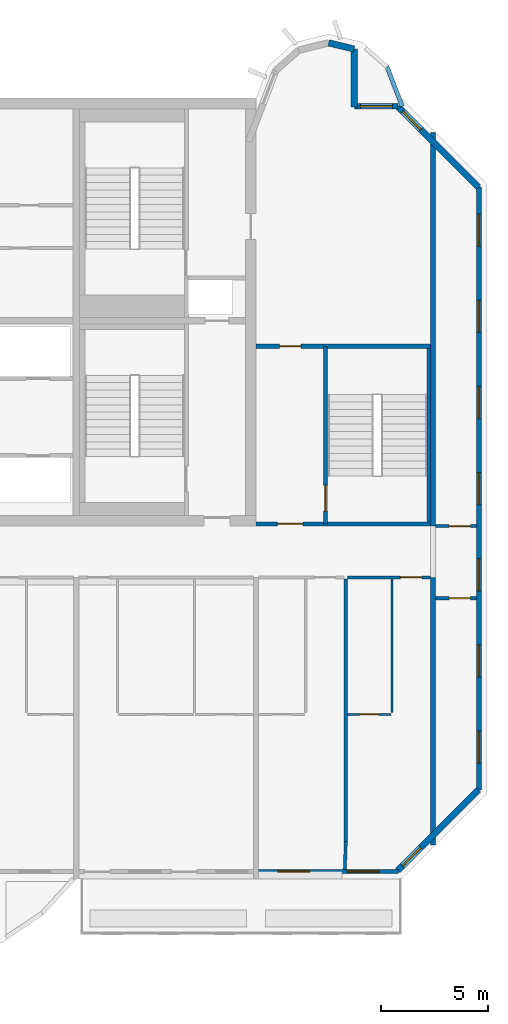
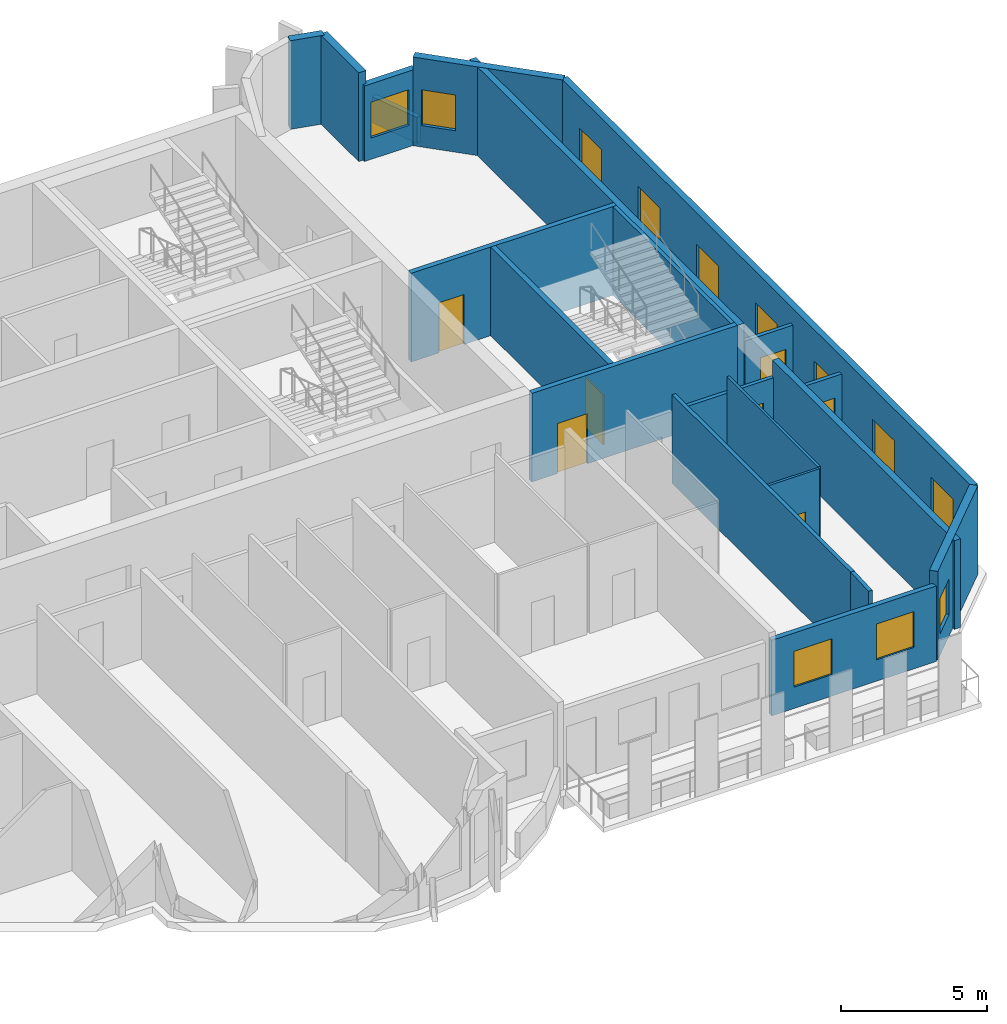
# One storey, part 8 of 12: 21 walls, 12 windows, 7 doors, 19 openings.
"""IFC4 building model written with IfcOpenShell, lengths in metres."""

from ifc_helpers import new_model, si_unit, direction, frame, frame_2d, origin, place, context, subcontext, project, spatial, rectangle, extrude, source, transform, mapped, material, layer, layer_set, type_object, element, fill, save


model = new_model("IFC4")

# Units and contexts
model_context = context("Model", 3, precision=1e-05, world=origin(), true_north=direction((0.0, 1.0)))
body_context = subcontext(model_context, "Body", "Model", "MODEL_VIEW")
ifc_project = project(units=[si_unit("LENGTHUNIT", "METRE"), si_unit("AREAUNIT", "SQUARE_METRE"), si_unit("VOLUMEUNIT", "CUBIC_METRE"), si_unit("PLANEANGLEUNIT", "RADIAN"), si_unit("MASSUNIT", "GRAM", prefix="KILO")], contexts=[model_context])

# Site, building, storey
site_placement = place(None, origin())
site = spatial("IfcSite", under=ifc_project, at=site_placement, CompositionType="ELEMENT")
building_placement = place(site_placement, origin())
building = spatial("IfcBuilding", under=site, at=building_placement, Name="Vanashikhar Sky Hotel", CompositionType="ELEMENT")
storey_placement = place(building_placement, frame((0.0, 0.0, 313.699951171875)))
storey = spatial("IfcBuildingStorey", under=building, at=storey_placement, Name="L75", CompositionType="ELEMENT", Elevation=313.699951171875)

# Walls
ifc_material_1 = material(Name="Concrete M50", Category="concrete")
ifc_layer_1 = layer(ifc_material_1, 0.25)
ifc_layer_set_1 = layer_set([ifc_layer_1], Name="RC shear wall 250 Concrete M50")
wall_type_1 = type_object("IfcWallType", Name="RC shear wall 250 Concrete M50", PredefinedType="SHEAR", material=ifc_layer_set_1)
shared_shape_1 = source(origin(), body_context, "Body", "SweptSolid", [
    extrude(rectangle(XDim=12.5, YDim=0.25, at=frame_2d((6.25, 0.0))), origin(), (0.0, 0.0, 1.0), 3.719970703125),
])
wall_1_placement = place(storey_placement, frame((83.875, 7.10009765625, 0.0), z_axis=(0.0, 0.0, 1.0), x_axis=(0.0, 1.0, 0.0)))
element("IfcWall", 1, at=wall_1_placement, inside=storey, type_object=wall_type_1, Name="CW-L75-XW11-1", PredefinedType="SHEAR", context=body_context, shape_type="MappedRepresentation", body=[
    mapped(shared_shape_1, transform((0.0, 0.0, 0.0), scale=1.0)),
])
shared_shape_2 = source(origin(), body_context, "Body", "SweptSolid", [
    extrude(rectangle(XDim=18.39990234375, YDim=0.25, at=frame_2d((9.199951171875, 0.0))), origin(), (0.0, 0.0, 1.0), 3.719970703125),
])
wall_2_placement = place(storey_placement, frame((83.875, 22.0, 0.0), z_axis=(0.0, 0.0, 1.0), x_axis=(0.0, 1.0, 0.0)))
element("IfcWall", 2, at=wall_2_placement, inside=storey, type_object=wall_type_1, Name="CW-L75-XW11-2", PredefinedType="SHEAR", context=body_context, shape_type="MappedRepresentation", body=[
    mapped(shared_shape_2, transform((0.0, 0.0, 0.0), scale=1.0)),
])

# Wall, openings, windows
ifc_layer_2 = layer(ifc_material_1, 0.199951171875)
ifc_layer_set_2 = layer_set([ifc_layer_2], Name="Front window wall 200")
wall_type_2 = type_object("IfcWallType", Name="Front window wall 200", PredefinedType="SOLIDWALL", material=ifc_layer_set_2)
shared_shape_3 = source(origin(), body_context, "Body", "SweptSolid", [
    extrude(rectangle(XDim=6.52978515625, YDim=0.199951171875, at=frame_2d((3.264892578125, 0.0))), origin(), (0.0, 0.0, 1.0), 3.170166015625),
])
wall_3_placement = place(storey_placement, frame((75.72509765625, 5.85009765625, 0.0), z_axis=(0.0, 0.0, 1.0), x_axis=(1.0, 0.0, 0.0)))
wall_3 = element("IfcWall", 3, at=wall_3_placement, inside=storey, type_object=wall_type_2, Name="Front window wall", PredefinedType="SOLIDWALL", context=body_context, shape_type="MappedRepresentation", body=[
    mapped(shared_shape_3, transform((0.0, 0.0, 0.0), scale=1.0)),
])
shared_shape_4 = source(origin(), body_context, "Body", "SweptSolid", [
    extrude(rectangle(XDim=1.5, YDim=1.5, at=frame_2d((0.75, 0.75))), frame((0.0, 0.10986328125, 0.0), z_axis=(0.0, -1.0, 0.0), x_axis=(1.0, 0.0, 0.0)), (0.0, 0.0, 1.0), 0.219970703125),
])
opening_1_placement = place(wall_3_placement, frame((0.882568359375, 0.0, 0.89990234375)))
opening_1 = element("IfcOpeningElement", 4, at=opening_1_placement, cuts=wall_3, Name="Opening WN-1", PredefinedType="OPENING", context=body_context, shape_type="MappedRepresentation", body=[
    mapped(shared_shape_4, transform((0.0, 0.0, 0.0), scale=1.0)),
])
opening_2_placement = place(wall_3_placement, frame((4.1474609375, 0.0, 0.89990234375)))
opening_2 = element("IfcOpeningElement", 5, at=opening_2_placement, cuts=wall_3, Name="Opening WN-1", PredefinedType="OPENING", context=body_context, shape_type="MappedRepresentation", body=[
    mapped(shared_shape_4, transform((0.0, 0.0, 0.0), scale=1.0)),
])
ifc_material_2 = material(Name="Glass", Category="glass")
window_type_1 = type_object("IfcWindowType", Name="Window 1500 x 1500", PartitioningType="SINGLE_PANEL", PredefinedType="WINDOW", material=ifc_material_2)
shared_shape_5 = source(origin(), body_context, "Body", "SweptSolid", [
    extrude(rectangle(XDim=1.5, YDim=1.5, at=frame_2d((0.75, 0.75))), frame((0.0, 0.030029296875, 0.0), z_axis=(0.0, -1.0, 0.0), x_axis=(1.0, 0.0, 0.0)), (0.0, 0.0, 1.0), 0.06005859375),
])
window_1_placement = place(opening_1_placement, origin())
window_1 = element("IfcWindow", 6, at=window_1_placement, inside=storey, type_object=window_type_1, Name="Window WN-1", OverallHeight=1.5, OverallWidth=1.5, PartitioningType="SINGLE_PANEL", PredefinedType="WINDOW", context=body_context, shape_type="MappedRepresentation", body=[
    mapped(shared_shape_5, transform((0.0, 0.0, 0.0), scale=1.0)),
])
fill(opening_1, window_1)
window_2_placement = place(opening_2_placement, origin())
window_2 = element("IfcWindow", 7, at=window_2_placement, inside=storey, type_object=window_type_1, Name="Window WN-1", OverallHeight=1.5, OverallWidth=1.5, PartitioningType="SINGLE_PANEL", PredefinedType="WINDOW", context=body_context, shape_type="MappedRepresentation", body=[
    mapped(shared_shape_5, transform((0.0, 0.0, 0.0), scale=1.0)),
])
fill(opening_2, window_2)

# Wall, opening, window
ifc_layer_3 = layer(ifc_material_1, 0.300048828125)
ifc_layer_set_3 = layer_set([ifc_layer_3], Name="Lobe wall 300")
wall_type_3 = type_object("IfcWallType", Name="Lobe wall 300", PredefinedType="SOLIDWALL", material=ifc_layer_set_3)
shared_shape_6 = source(origin(), body_context, "Body", "SweptSolid", [
    extrude(rectangle(XDim=5.32568359375, YDim=0.300048828125, at=frame_2d((2.662841796875, 0.0))), origin(), (0.0, 0.0, 1.0), 3.719970703125),
])
wall_4_placement = place(storey_placement, frame((82.234375, 5.89990234375, 0.0), z_axis=(0.0, 0.0, 1.0), x_axis=(0.707083859269, 0.707129702361, 0.0)))
wall_4 = element("IfcWall", 8, at=wall_4_placement, inside=storey, type_object=wall_type_3, Name="Corner wall", PredefinedType="SOLIDWALL", context=body_context, shape_type="MappedRepresentation", body=[
    mapped(shared_shape_6, transform((0.0, 0.0, 0.0), scale=1.0)),
])
shared_shape_7 = source(origin(), body_context, "Body", "SweptSolid", [
    extrude(rectangle(XDim=1.199951171875, YDim=1.5, at=frame_2d((0.60009765625, 0.75))), frame((0.0, 0.16015625, 0.0), z_axis=(0.0, -1.0, 0.0), x_axis=(1.0, 0.0, 0.0)), (0.0, 0.0, 1.0), 0.320068359375),
])
opening_3_placement = place(wall_4_placement, frame((0.31005859375, 0.0, 0.89990234375)))
opening_3 = element("IfcOpeningElement", 9, at=opening_3_placement, cuts=wall_4, Name="Opening WN-3", PredefinedType="OPENING", context=body_context, shape_type="MappedRepresentation", body=[
    mapped(shared_shape_7, transform((0.0, 0.0, 0.0), scale=1.0)),
])
window_type_2 = type_object("IfcWindowType", Name="Corridor end window 1200 x 1500", PartitioningType="SINGLE_PANEL", PredefinedType="WINDOW", material=ifc_material_2)
shared_shape_8 = source(origin(), body_context, "Body", "SweptSolid", [
    extrude(rectangle(XDim=1.199951171875, YDim=1.5, at=frame_2d((0.60009765625, 0.75))), frame((0.0, 0.030029296875, 0.0), z_axis=(0.0, -1.0, 0.0), x_axis=(1.0, 0.0, 0.0)), (0.0, 0.0, 1.0), 0.06005859375),
])
window_3_placement = place(opening_3_placement, origin())
window_3 = element("IfcWindow", 10, at=window_3_placement, inside=storey, type_object=window_type_2, Name="Window WN-3", OverallHeight=1.5, OverallWidth=1.199951171875, PartitioningType="SINGLE_PANEL", PredefinedType="WINDOW", context=body_context, shape_type="MappedRepresentation", body=[
    mapped(shared_shape_8, transform((0.0, 0.0, 0.0), scale=1.0)),
])
fill(opening_3, window_3)

wall_5_placement = place(storey_placement, frame((86.0, 37.834228515625, 0.0), z_axis=(0.0, 0.0, 1.0), x_axis=(-0.707083859269, 0.707129702361, 0.0)))
wall_5 = element("IfcWall", 11, at=wall_5_placement, inside=storey, type_object=wall_type_3, Name="Corner wall", PredefinedType="SOLIDWALL", context=body_context, shape_type="MappedRepresentation", body=[
    mapped(shared_shape_6, transform((0.0, 0.0, 0.0), scale=1.0)),
])
opening_4_placement = place(wall_5_placement, frame((3.8154296875, 0.0, 0.89990234375)))
opening_4 = element("IfcOpeningElement", 12, at=opening_4_placement, cuts=wall_5, Name="Opening WN-3", PredefinedType="OPENING", context=body_context, shape_type="MappedRepresentation", body=[
    mapped(shared_shape_7, transform((0.0, 0.0, 0.0), scale=1.0)),
])
window_4_placement = place(opening_4_placement, origin())
window_4 = element("IfcWindow", 13, at=window_4_placement, inside=storey, type_object=window_type_2, Name="Window WN-3", OverallHeight=1.5, OverallWidth=1.199951171875, PartitioningType="SINGLE_PANEL", PredefinedType="WINDOW", context=body_context, shape_type="MappedRepresentation", body=[
    mapped(shared_shape_8, transform((0.0, 0.0, 0.0), scale=1.0)),
])
fill(opening_4, window_4)

# Wall, openings, windows
ifc_layer_4 = layer(ifc_material_1, 0.25)
ifc_layer_set_4 = layer_set([ifc_layer_4], Name="Rear and end board-marked wall 250")
wall_type_4 = type_object("IfcWallType", Name="Rear and end board-marked wall 250", PredefinedType="SOLIDWALL", material=ifc_layer_set_4)
shared_shape_9 = source(origin(), body_context, "Body", "SweptSolid", [
    extrude(rectangle(XDim=28.189453125, YDim=0.25, at=frame_2d((14.0947265625, 0.0))), origin(), (0.0, 0.0, 1.0), 3.719970703125),
])
wall_6_placement = place(storey_placement, frame((86.02490234375, 9.6552734375, 0.0), z_axis=(0.0, 0.0, 1.0), x_axis=(0.0, 1.0, 0.0)))
wall_6 = element("IfcWall", 14, at=wall_6_placement, inside=storey, type_object=wall_type_4, Name="End board-marked wall", PredefinedType="SOLIDWALL", context=body_context, shape_type="MappedRepresentation", body=[
    mapped(shared_shape_9, transform((0.0, 0.0, 0.0), scale=1.0)),
])
shared_shape_10 = source(origin(), body_context, "Body", "SweptSolid", [
    extrude(rectangle(XDim=1.5, YDim=1.5, at=frame_2d((0.75, 0.75))), frame((0.0, 0.135009765625, 0.0), z_axis=(0.0, -1.0, 0.0), x_axis=(1.0, 0.0, 0.0)), (0.0, 0.0, 1.0), 0.27001953125),
])
opening_5_placement = place(wall_6_placement, frame((1.263427734375, 0.0, 0.89990234375)))
opening_5 = element("IfcOpeningElement", 15, at=opening_5_placement, cuts=wall_6, Name="Opening WN-1", PredefinedType="OPENING", context=body_context, shape_type="MappedRepresentation", body=[
    mapped(shared_shape_10, transform((0.0, 0.0, 0.0), scale=1.0)),
])
opening_6_placement = place(wall_6_placement, frame((5.29052734375, 0.0, 0.89990234375)))
opening_6 = element("IfcOpeningElement", 16, at=opening_6_placement, cuts=wall_6, Name="Opening WN-1", PredefinedType="OPENING", context=body_context, shape_type="MappedRepresentation", body=[
    mapped(shared_shape_10, transform((0.0, 0.0, 0.0), scale=1.0)),
])
opening_7_placement = place(wall_6_placement, frame((9.317626953125, 0.0, 0.89990234375)))
opening_7 = element("IfcOpeningElement", 17, at=opening_7_placement, cuts=wall_6, Name="Opening WN-1", PredefinedType="OPENING", context=body_context, shape_type="MappedRepresentation", body=[
    mapped(shared_shape_10, transform((0.0, 0.0, 0.0), scale=1.0)),
])
opening_8_placement = place(wall_6_placement, frame((13.3447265625, 0.0, 0.89990234375)))
opening_8 = element("IfcOpeningElement", 18, at=opening_8_placement, cuts=wall_6, Name="Opening WN-1", PredefinedType="OPENING", context=body_context, shape_type="MappedRepresentation", body=[
    mapped(shared_shape_10, transform((0.0, 0.0, 0.0), scale=1.0)),
])
opening_9_placement = place(wall_6_placement, frame((17.371826171875, 0.0, 0.89990234375)))
opening_9 = element("IfcOpeningElement", 19, at=opening_9_placement, cuts=wall_6, Name="Opening WN-1", PredefinedType="OPENING", context=body_context, shape_type="MappedRepresentation", body=[
    mapped(shared_shape_10, transform((0.0, 0.0, 0.0), scale=1.0)),
])
opening_10_placement = place(wall_6_placement, frame((21.398681640625, 0.0, 0.89990234375)))
opening_10 = element("IfcOpeningElement", 20, at=opening_10_placement, cuts=wall_6, Name="Opening WN-1", PredefinedType="OPENING", context=body_context, shape_type="MappedRepresentation", body=[
    mapped(shared_shape_10, transform((0.0, 0.0, 0.0), scale=1.0)),
])
opening_11_placement = place(wall_6_placement, frame((25.42578125, 0.0, 0.89990234375)))
opening_11 = element("IfcOpeningElement", 21, at=opening_11_placement, cuts=wall_6, Name="Opening WN-1", PredefinedType="OPENING", context=body_context, shape_type="MappedRepresentation", body=[
    mapped(shared_shape_10, transform((0.0, 0.0, 0.0), scale=1.0)),
])
window_5_placement = place(opening_5_placement, origin())
window_5 = element("IfcWindow", 22, at=window_5_placement, inside=storey, type_object=window_type_1, Name="Window WN-1", OverallHeight=1.5, OverallWidth=1.5, PartitioningType="SINGLE_PANEL", PredefinedType="WINDOW", context=body_context, shape_type="MappedRepresentation", body=[
    mapped(shared_shape_5, transform((0.0, 0.0, 0.0), scale=1.0)),
])
fill(opening_5, window_5)
window_6_placement = place(opening_6_placement, origin())
window_6 = element("IfcWindow", 23, at=window_6_placement, inside=storey, type_object=window_type_1, Name="Window WN-1", OverallHeight=1.5, OverallWidth=1.5, PartitioningType="SINGLE_PANEL", PredefinedType="WINDOW", context=body_context, shape_type="MappedRepresentation", body=[
    mapped(shared_shape_5, transform((0.0, 0.0, 0.0), scale=1.0)),
])
fill(opening_6, window_6)
window_7_placement = place(opening_7_placement, origin())
window_7 = element("IfcWindow", 24, at=window_7_placement, inside=storey, type_object=window_type_1, Name="Window WN-1", OverallHeight=1.5, OverallWidth=1.5, PartitioningType="SINGLE_PANEL", PredefinedType="WINDOW", context=body_context, shape_type="MappedRepresentation", body=[
    mapped(shared_shape_5, transform((0.0, 0.0, 0.0), scale=1.0)),
])
fill(opening_7, window_7)
window_8_placement = place(opening_8_placement, origin())
window_8 = element("IfcWindow", 25, at=window_8_placement, inside=storey, type_object=window_type_1, Name="Window WN-1", OverallHeight=1.5, OverallWidth=1.5, PartitioningType="SINGLE_PANEL", PredefinedType="WINDOW", context=body_context, shape_type="MappedRepresentation", body=[
    mapped(shared_shape_5, transform((0.0, 0.0, 0.0), scale=1.0)),
])
fill(opening_8, window_8)
window_9_placement = place(opening_9_placement, origin())
window_9 = element("IfcWindow", 26, at=window_9_placement, inside=storey, type_object=window_type_1, Name="Window WN-1", OverallHeight=1.5, OverallWidth=1.5, PartitioningType="SINGLE_PANEL", PredefinedType="WINDOW", context=body_context, shape_type="MappedRepresentation", body=[
    mapped(shared_shape_5, transform((0.0, 0.0, 0.0), scale=1.0)),
])
fill(opening_9, window_9)
window_10_placement = place(opening_10_placement, origin())
window_10 = element("IfcWindow", 27, at=window_10_placement, inside=storey, type_object=window_type_1, Name="Window WN-1", OverallHeight=1.5, OverallWidth=1.5, PartitioningType="SINGLE_PANEL", PredefinedType="WINDOW", context=body_context, shape_type="MappedRepresentation", body=[
    mapped(shared_shape_5, transform((0.0, 0.0, 0.0), scale=1.0)),
])
fill(opening_10, window_10)
window_11_placement = place(opening_11_placement, origin())
window_11 = element("IfcWindow", 28, at=window_11_placement, inside=storey, type_object=window_type_1, Name="Window WN-1", OverallHeight=1.5, OverallWidth=1.5, PartitioningType="SINGLE_PANEL", PredefinedType="WINDOW", context=body_context, shape_type="MappedRepresentation", body=[
    mapped(shared_shape_5, transform((0.0, 0.0, 0.0), scale=1.0)),
])
fill(opening_11, window_11)

# Wall, opening, window
shared_shape_11 = source(origin(), body_context, "Body", "SweptSolid", [
    extrude(rectangle(XDim=2.03173828125, YDim=0.25, at=frame_2d((1.015869140625, 0.0))), origin(), (0.0, 0.0, 1.0), 3.170166015625),
])
wall_7_placement = place(storey_placement, frame((82.24462890625, 41.625, 0.0), z_axis=(0.0, 0.0, 1.0), x_axis=(-1.0, 0.0, 0.0)))
wall_7 = element("IfcWall", 29, at=wall_7_placement, inside=storey, type_object=wall_type_4, Name="Rear board-marked wall", PredefinedType="SOLIDWALL", context=body_context, shape_type="MappedRepresentation", body=[
    mapped(shared_shape_11, transform((0.0, 0.0, 0.0), scale=1.0)),
])
opening_12_placement = place(wall_7_placement, frame((0.265869140625, 0.0, 0.89990234375)))
opening_12 = element("IfcOpeningElement", 30, at=opening_12_placement, cuts=wall_7, Name="Opening WN-1", PredefinedType="OPENING", context=body_context, shape_type="MappedRepresentation", body=[
    mapped(shared_shape_10, transform((0.0, 0.0, 0.0), scale=1.0)),
])
window_12_placement = place(opening_12_placement, origin())
window_12 = element("IfcWindow", 31, at=window_12_placement, inside=storey, type_object=window_type_1, Name="Window WN-1", OverallHeight=1.5, OverallWidth=1.5, PartitioningType="SINGLE_PANEL", PredefinedType="WINDOW", context=body_context, shape_type="MappedRepresentation", body=[
    mapped(shared_shape_5, transform((0.0, 0.0, 0.0), scale=1.0)),
])
fill(opening_12, window_12)

# Walls
shared_shape_12 = source(origin(), body_context, "Body", "SweptSolid", [
    extrude(rectangle(XDim=2.6962890625, YDim=0.300048828125, at=frame_2d((1.34814453125, 0.0))), origin(), (0.0, 0.0, 1.0), 3.719970703125),
])
wall_8_placement = place(storey_placement, frame((80.18798828125, 41.60009765625, 0.0), z_axis=(0.0, 0.0, 1.0), x_axis=(0.0, 1.0, 0.0)))
element("IfcWall", 32, at=wall_8_placement, inside=storey, type_object=wall_type_3, Name="Lobe end wall", PredefinedType="SOLIDWALL", context=body_context, shape_type="MappedRepresentation", body=[
    mapped(shared_shape_12, transform((0.0, 0.0, 0.0), scale=1.0)),
])
shared_shape_13 = source(origin(), body_context, "Body", "SweptSolid", [
    extrude(rectangle(XDim=1.223388671875, YDim=0.300048828125, at=frame_2d((0.61181640625, 0.0))), origin(), (0.0, 0.0, 1.0), 3.719970703125),
])
wall_9_placement = place(storey_placement, frame((80.18798828125, 44.29638671875, 0.0), z_axis=(0.0, 0.0, 1.0), x_axis=(-0.971143721305, 0.238495015816, 0.0)))
element("IfcWall", 33, at=wall_9_placement, inside=storey, type_object=wall_type_3, Name="Lobe wall", PredefinedType="SOLIDWALL", context=body_context, shape_type="MappedRepresentation", body=[
    mapped(shared_shape_13, transform((0.0, 0.0, 0.0), scale=1.0)),
])
ifc_layer_5 = layer(ifc_material_1, 0.199951171875)
ifc_layer_set_5 = layer_set([ifc_layer_5], Name="Parapet 200")
wall_type_5 = type_object("IfcWallType", Name="Parapet 200", PredefinedType="PARAPET", material=ifc_layer_set_5)
shared_shape_14 = source(origin(), body_context, "Body", "SweptSolid", [
    extrude(rectangle(XDim=1.975341796875, YDim=0.199951171875, at=frame_2d((0.98779296875, 0.0))), origin(), (0.0, 0.0, 1.0), 1.10009765625),
])
wall_10_placement = place(storey_placement, frame((81.728515625, 43.46728515625, -0.050048828125), z_axis=(0.0, 0.0, 1.0), x_axis=(0.357819264753, -0.933790861902, 0.0)))
element("IfcWall", 34, at=wall_10_placement, inside=storey, type_object=wall_type_5, Name="Roof parapet", PredefinedType="PARAPET", context=body_context, shape_type="MappedRepresentation", body=[
    mapped(shared_shape_14, transform((0.0, 0.0, 0.0), scale=1.0)),
])

# Wall, opening, door
ifc_layer_6 = layer(ifc_material_1, 0.199951171875)
ifc_layer_set_6 = layer_set([ifc_layer_6], Name="Stair wall 200")
wall_type_6 = type_object("IfcWallType", Name="Stair wall 200", PredefinedType="SOLIDWALL", material=ifc_layer_set_6)
shared_shape_15 = source(origin(), body_context, "Body", "SweptSolid", [
    extrude(rectangle(XDim=8.2998046875, YDim=0.199951171875, at=frame_2d((4.14990234375, 0.0))), origin(), (0.0, 0.0, 1.0), 3.719970703125),
])
wall_11_placement = place(storey_placement, frame((78.85009765625, 22.10009765625, 0.0), z_axis=(0.0, 0.0, 1.0), x_axis=(0.0, 1.0, 0.0)))
wall_11 = element("IfcWall", 35, at=wall_11_placement, inside=storey, type_object=wall_type_6, Name="Stair wall 200", PredefinedType="SOLIDWALL", context=body_context, shape_type="MappedRepresentation", body=[
    mapped(shared_shape_15, transform((0.0, 0.0, 0.0), scale=1.0)),
])
shared_shape_16 = source(origin(), body_context, "Body", "SweptSolid", [
    extrude(rectangle(XDim=1.199951171875, YDim=2.10009765625, at=frame_2d((0.60009765625, 1.050048828125))), frame((0.0, 0.10986328125, 0.0), z_axis=(0.0, -1.0, 0.0), x_axis=(1.0, 0.0, 0.0)), (0.0, 0.0, 1.0), 0.219970703125),
])
opening_13_placement = place(wall_11_placement, frame((0.60009765625, 0.0, 0.0)))
opening_13 = element("IfcOpeningElement", 36, at=opening_13_placement, cuts=wall_11, Name="Opening DC-1", PredefinedType="OPENING", context=body_context, shape_type="MappedRepresentation", body=[
    mapped(shared_shape_16, transform((0.0, 0.0, 0.0), scale=1.0)),
])
ifc_material_3 = material(Name="Steel", Category="steel")
door_type_1 = type_object("IfcDoorType", Name="Stair door 1200 FD120", OperationType="NOTDEFINED", PredefinedType="DOOR", material=ifc_material_3)
shared_shape_17 = source(origin(), body_context, "Body", "SweptSolid", [
    extrude(rectangle(XDim=1.199951171875, YDim=2.10009765625, at=frame_2d((0.60009765625, 1.050048828125))), frame((0.0, 0.02490234375, 0.0), z_axis=(0.0, -1.0, 0.0), x_axis=(1.0, 0.0, 0.0)), (0.0, 0.0, 1.0), 0.050048828125),
])
door_1_placement = place(opening_13_placement, origin())
door_1 = element("IfcDoor", 37, at=door_1_placement, inside=storey, type_object=door_type_1, Name="Stair door 1200 FD120", OperationType="SINGLE_SWING_LEFT", OverallHeight=2.10009765625, OverallWidth=1.199951171875, PredefinedType="DOOR", context=body_context, shape_type="MappedRepresentation", body=[
    mapped(shared_shape_17, transform((0.0, 0.0, 0.0), scale=1.0)),
])
fill(opening_13, door_1)

shared_shape_18 = source(origin(), body_context, "Body", "SweptSolid", [
    extrude(rectangle(XDim=8.14990234375, YDim=0.199951171875, at=frame_2d((4.074951171875, 0.0))), origin(), (0.0, 0.0, 1.0), 3.719970703125),
])
wall_12_placement = place(storey_placement, frame((83.75, 22.10009765625, 0.0), z_axis=(0.0, 0.0, 1.0), x_axis=(-1.0, 0.0, 0.0)))
wall_12 = element("IfcWall", 38, at=wall_12_placement, inside=storey, type_object=wall_type_6, Name="Stair wall 200", PredefinedType="SOLIDWALL", context=body_context, shape_type="MappedRepresentation", body=[
    mapped(shared_shape_18, transform((0.0, 0.0, 0.0), scale=1.0)),
])
opening_14_placement = place(wall_12_placement, frame((5.949951171875, 0.0, 0.0)))
opening_14 = element("IfcOpeningElement", 39, at=opening_14_placement, cuts=wall_12, Name="Opening DC-2", PredefinedType="OPENING", context=body_context, shape_type="MappedRepresentation", body=[
    mapped(shared_shape_16, transform((0.0, 0.0, 0.0), scale=1.0)),
])
door_type_2 = type_object("IfcDoorType", Name="Firefighting lobby door 1200 FD120", OperationType="NOTDEFINED", PredefinedType="DOOR", material=ifc_material_3)
door_2_placement = place(opening_14_placement, origin())
door_2 = element("IfcDoor", 40, at=door_2_placement, inside=storey, type_object=door_type_2, Name="Firefighting lobby door 1200 FD120", OperationType="SINGLE_SWING_RIGHT", OverallHeight=2.10009765625, OverallWidth=1.199951171875, PredefinedType="DOOR", context=body_context, shape_type="MappedRepresentation", body=[
    mapped(shared_shape_17, transform((0.0, 0.0, 0.0), scale=1.0)),
])
fill(opening_14, door_2)

wall_13_placement = place(storey_placement, frame((83.75, 30.39990234375, 0.0), z_axis=(0.0, 0.0, 1.0), x_axis=(-1.0, 0.0, 0.0)))
wall_13 = element("IfcWall", 41, at=wall_13_placement, inside=storey, type_object=wall_type_6, Name="Stair wall 200", PredefinedType="SOLIDWALL", context=body_context, shape_type="MappedRepresentation", body=[
    mapped(shared_shape_18, transform((0.0, 0.0, 0.0), scale=1.0)),
])
shared_shape_19 = source(origin(), body_context, "Body", "SweptSolid", [
    extrude(rectangle(XDim=1.0, YDim=2.10009765625, at=frame_2d((0.5, 1.050048828125))), frame((0.0, 0.10986328125, 0.0), z_axis=(0.0, -1.0, 0.0), x_axis=(1.0, 0.0, 0.0)), (0.0, 0.0, 1.0), 0.219970703125),
])
opening_15_placement = place(wall_13_placement, frame((6.050048828125, 0.0, 0.0)))
opening_15 = element("IfcOpeningElement", 42, at=opening_15_placement, cuts=wall_13, Name="Opening DC-6", PredefinedType="OPENING", context=body_context, shape_type="MappedRepresentation", body=[
    mapped(shared_shape_19, transform((0.0, 0.0, 0.0), scale=1.0)),
])
door_type_3 = type_object("IfcDoorType", Name="Pocket door 1000 FD60", OperationType="NOTDEFINED", PredefinedType="DOOR", material=ifc_material_3)
shared_shape_20 = source(origin(), body_context, "Body", "SweptSolid", [
    extrude(rectangle(XDim=1.0, YDim=2.10009765625, at=frame_2d((0.5, 1.050048828125))), frame((0.0, 0.02490234375, 0.0), z_axis=(0.0, -1.0, 0.0), x_axis=(1.0, 0.0, 0.0)), (0.0, 0.0, 1.0), 0.050048828125),
])
door_3_placement = place(opening_15_placement, origin())
door_3 = element("IfcDoor", 43, at=door_3_placement, inside=storey, type_object=door_type_3, Name="Pocket door 1000 FD60", OperationType="SINGLE_SWING_RIGHT", OverallHeight=2.10009765625, OverallWidth=1.0, PredefinedType="DOOR", context=body_context, shape_type="MappedRepresentation", body=[
    mapped(shared_shape_20, transform((0.0, 0.0, 0.0), scale=1.0)),
])
fill(opening_15, door_3)

# Walls
ifc_layer_7 = layer(ifc_material_1, 0.14990234375)
ifc_layer_set_7 = layer_set([ifc_layer_7], Name="Stair infill wall 150")
wall_type_7 = type_object("IfcWallType", Name="Stair infill wall 150", PredefinedType="SOLIDWALL", material=ifc_layer_set_7)
shared_shape_21 = source(origin(), body_context, "Body", "SweptSolid", [
    extrude(rectangle(XDim=8.10009765625, YDim=0.14990234375, at=frame_2d((4.050048828125, 0.0))), origin(), (0.0, 0.0, 1.0), 3.719970703125),
])
wall_14_placement = place(storey_placement, frame((83.675048828125, 22.199951171875, 0.0), z_axis=(0.0, 0.0, 1.0), x_axis=(0.0, 1.0, 0.0)))
element("IfcWall", 44, at=wall_14_placement, inside=storey, type_object=wall_type_7, Name="Stair infill wall 150", PredefinedType="SOLIDWALL", context=body_context, shape_type="MappedRepresentation", body=[
    mapped(shared_shape_21, transform((0.0, 0.0, 0.0), scale=1.0)),
])
ifc_material_4 = material(Name="Gypsum plasterboard partition")
ifc_layer_8 = layer(ifc_material_4, 0.10009765625)
ifc_layer_set_8 = layer_set([ifc_layer_8], Name="Wet room partition 100")
wall_type_8 = type_object("IfcWallType", Name="Wet room partition 100", PredefinedType="PARTITIONING", material=ifc_layer_set_8)
shared_shape_22 = source(origin(), body_context, "Body", "SweptSolid", [
    extrude(rectangle(XDim=6.25, YDim=0.10009765625, at=frame_2d((3.125, 0.0))), origin(), (0.0, 0.0, 1.0), 3.719970703125),
])
wall_15_placement = place(storey_placement, frame((81.949951171875, 13.27490234375, 0.0), z_axis=(0.0, 0.0, 1.0), x_axis=(0.0, 1.0, 0.0)))
element("IfcWall", 45, at=wall_15_placement, inside=storey, type_object=wall_type_8, Name="W-L75-PW034", PredefinedType="PARTITIONING", context=body_context, shape_type="MappedRepresentation", body=[
    mapped(shared_shape_22, transform((0.0, 0.0, 0.0), scale=1.0)),
])

# Wall, opening, door
ifc_layer_9 = layer(ifc_material_4, 0.14990234375)
ifc_layer_set_9 = layer_set([ifc_layer_9], Name="Corridor and demising partition 150")
wall_type_9 = type_object("IfcWallType", Name="Corridor and demising partition 150", PredefinedType="PARTITIONING", material=ifc_layer_set_9)
shared_shape_23 = source(origin(), body_context, "Body", "SweptSolid", [
    extrude(rectangle(XDim=1.89990234375, YDim=0.14990234375, at=frame_2d((0.949951171875, 0.0))), origin(), (0.0, 0.0, 1.0), 3.02001953125),
])
wall_16_placement = place(storey_placement, frame((84.0, 22.0, 0.0), z_axis=(0.0, 0.0, 1.0), x_axis=(1.0, 0.0, 0.0)))
wall_16 = element("IfcWall", 46, at=wall_16_placement, inside=storey, type_object=wall_type_9, Name="W-L75-PW041", PredefinedType="PARTITIONING", context=body_context, shape_type="MappedRepresentation", body=[
    mapped(shared_shape_23, transform((0.0, 0.0, 0.0), scale=1.0)),
])
shared_shape_24 = source(origin(), body_context, "Body", "SweptSolid", [
    extrude(rectangle(XDim=1.0, YDim=2.10009765625, at=frame_2d((0.5, 1.050048828125))), frame((0.0, 0.0849609375, 0.0), z_axis=(0.0, -1.0, 0.0), x_axis=(1.0, 0.0, 0.0)), (0.0, 0.0, 1.0), 0.169921875),
])
opening_16_placement = place(wall_16_placement, frame((0.625, 0.0, 0.0)))
opening_16 = element("IfcOpeningElement", 47, at=opening_16_placement, cuts=wall_16, Name="Opening D-01", PredefinedType="OPENING", context=body_context, shape_type="MappedRepresentation", body=[
    mapped(shared_shape_24, transform((0.0, 0.0, 0.0), scale=1.0)),
])
ifc_material_5 = material(Name="Timber fire door", Category="wood")
door_type_4 = type_object("IfcDoorType", Name="Guest entry door 1000 FD30S", OperationType="NOTDEFINED", PredefinedType="DOOR", material=ifc_material_5)
door_4_placement = place(opening_16_placement, origin())
door_4 = element("IfcDoor", 48, at=door_4_placement, inside=storey, type_object=door_type_4, Name="D-L75-025", OperationType="SINGLE_SWING_RIGHT", OverallHeight=2.10009765625, OverallWidth=1.0, PredefinedType="DOOR", context=body_context, shape_type="MappedRepresentation", body=[
    mapped(shared_shape_20, transform((0.0, 0.0, 0.0), scale=1.0)),
])
fill(opening_16, door_4)

wall_17_placement = place(storey_placement, frame((84.0, 18.6279296875, 0.0), z_axis=(0.0, 0.0, 1.0), x_axis=(1.0, 0.0, 0.0)))
wall_17 = element("IfcWall", 49, at=wall_17_placement, inside=storey, type_object=wall_type_9, Name="W-L75-PW043", PredefinedType="PARTITIONING", context=body_context, shape_type="MappedRepresentation", body=[
    mapped(shared_shape_23, transform((0.0, 0.0, 0.0), scale=1.0)),
])
opening_17_placement = place(wall_17_placement, frame((0.625, 0.0, 0.0)))
opening_17 = element("IfcOpeningElement", 50, at=opening_17_placement, cuts=wall_17, Name="Opening D-01", PredefinedType="OPENING", context=body_context, shape_type="MappedRepresentation", body=[
    mapped(shared_shape_24, transform((0.0, 0.0, 0.0), scale=1.0)),
])
door_5_placement = place(opening_17_placement, origin())
door_5 = element("IfcDoor", 51, at=door_5_placement, inside=storey, type_object=door_type_4, Name="D-L75-027", OperationType="SINGLE_SWING_RIGHT", OverallHeight=2.10009765625, OverallWidth=1.0, PredefinedType="DOOR", context=body_context, shape_type="MappedRepresentation", body=[
    mapped(shared_shape_20, transform((0.0, 0.0, 0.0), scale=1.0)),
])
fill(opening_17, door_5)

# Wall
shared_shape_25 = source(origin(), body_context, "Body", "SweptSolid", [
    extrude(rectangle(XDim=12.27490234375, YDim=0.14990234375, at=frame_2d((6.137451171875, 0.0))), origin(), (0.0, 0.0, 1.0), 3.719970703125),
])
wall_18_placement = place(storey_placement, frame((79.800048828125, 7.25, 0.0), z_axis=(0.0, 0.0, 1.0), x_axis=(0.0, 1.0, 0.0)))
element("IfcWall", 52, at=wall_18_placement, inside=storey, type_object=wall_type_9, Name="W-L75-PW037", PredefinedType="PARTITIONING", context=body_context, shape_type="MappedRepresentation", body=[
    mapped(shared_shape_25, transform((0.0, 0.0, 0.0), scale=1.0)),
])

# Wall, opening, door
shared_shape_26 = source(origin(), body_context, "Body", "SweptSolid", [
    extrude(rectangle(XDim=2.02490234375, YDim=0.10009765625, at=frame_2d((1.012451171875, 0.0))), origin(), (0.0, 0.0, 1.0), 3.719970703125),
])
wall_19_placement = place(storey_placement, frame((79.875, 13.199951171875, 0.0), z_axis=(0.0, 0.0, 1.0), x_axis=(1.0, 0.0, 0.0)))
wall_19 = element("IfcWall", 53, at=wall_19_placement, inside=storey, type_object=wall_type_8, Name="W-L75-PW035", PredefinedType="PARTITIONING", context=body_context, shape_type="MappedRepresentation", body=[
    mapped(shared_shape_26, transform((0.0, 0.0, 0.0), scale=1.0)),
])
shared_shape_27 = source(origin(), body_context, "Body", "SweptSolid", [
    extrude(rectangle(XDim=0.89990234375, YDim=2.10009765625, at=frame_2d((0.449951171875, 1.050048828125))), frame((0.0, 0.06005859375, 0.0), z_axis=(0.0, -1.0, 0.0), x_axis=(1.0, 0.0, 0.0)), (0.0, 0.0, 1.0), 0.1201171875),
])
opening_18_placement = place(wall_19_placement, frame((0.56201171875, 0.0, 0.0)))
opening_18 = element("IfcOpeningElement", 54, at=opening_18_placement, cuts=wall_19, Name="Opening D-02", PredefinedType="OPENING", context=body_context, shape_type="MappedRepresentation", body=[
    mapped(shared_shape_27, transform((0.0, 0.0, 0.0), scale=1.0)),
])
ifc_material_6 = material(Name="Timber door", Category="wood")
door_type_5 = type_object("IfcDoorType", Name="Internal door 900", OperationType="NOTDEFINED", PredefinedType="DOOR", material=ifc_material_6)
shared_shape_28 = source(origin(), body_context, "Body", "SweptSolid", [
    extrude(rectangle(XDim=0.89990234375, YDim=2.10009765625, at=frame_2d((0.449951171875, 1.050048828125))), frame((0.0, 0.02490234375, 0.0), z_axis=(0.0, -1.0, 0.0), x_axis=(1.0, 0.0, 0.0)), (0.0, 0.0, 1.0), 0.050048828125),
])
door_6_placement = place(opening_18_placement, origin())
door_6 = element("IfcDoor", 55, at=door_6_placement, inside=storey, type_object=door_type_5, Name="D-L75-022", OperationType="SINGLE_SWING_RIGHT", OverallHeight=2.10009765625, OverallWidth=0.89990234375, PredefinedType="DOOR", context=body_context, shape_type="MappedRepresentation", body=[
    mapped(shared_shape_28, transform((0.0, 0.0, 0.0), scale=1.0)),
])
fill(opening_18, door_6)

shared_shape_29 = source(origin(), body_context, "Body", "SweptSolid", [
    extrude(rectangle(XDim=3.875, YDim=0.14990234375, at=frame_2d((1.9375, 0.0))), origin(), (0.0, 0.0, 1.0), 3.02001953125),
])
wall_20_placement = place(storey_placement, frame((79.875, 19.60009765625, 0.0), z_axis=(0.0, 0.0, 1.0), x_axis=(1.0, 0.0, 0.0)))
wall_20 = element("IfcWall", 56, at=wall_20_placement, inside=storey, type_object=wall_type_9, Name="W-L75-PW036", PredefinedType="PARTITIONING", context=body_context, shape_type="MappedRepresentation", body=[
    mapped(shared_shape_29, transform((0.0, 0.0, 0.0), scale=1.0)),
])
opening_19_placement = place(wall_20_placement, frame((2.47509765625, 0.0, 0.0)))
opening_19 = element("IfcOpeningElement", 57, at=opening_19_placement, cuts=wall_20, Name="Opening D-01", PredefinedType="OPENING", context=body_context, shape_type="MappedRepresentation", body=[
    mapped(shared_shape_24, transform((0.0, 0.0, 0.0), scale=1.0)),
])
door_7_placement = place(opening_19_placement, origin())
door_7 = element("IfcDoor", 58, at=door_7_placement, inside=storey, type_object=door_type_4, Name="D-L75-023", OperationType="SINGLE_SWING_RIGHT", OverallHeight=2.10009765625, OverallWidth=1.0, PredefinedType="DOOR", context=body_context, shape_type="MappedRepresentation", body=[
    mapped(shared_shape_20, transform((0.0, 0.0, 0.0), scale=1.0)),
])
fill(opening_19, door_7)

# Wall
shared_shape_30 = source(origin(), body_context, "Body", "SweptSolid", [
    extrude(rectangle(XDim=1.301025390625, YDim=0.14990234375, at=frame_2d((0.650390625, 0.0))), origin(), (0.0, 0.0, 1.0), 3.719970703125),
])
wall_21_placement = place(storey_placement, frame((79.751953125, 5.949951171875, 0.0), z_axis=(0.0, 0.0, 1.0), x_axis=(0.036970014262, 0.999316375351, 0.0)))
element("IfcWall", 59, at=wall_21_placement, inside=storey, type_object=wall_type_9, Name="W-L75-PW037B0", PredefinedType="PARTITIONING", context=body_context, shape_type="MappedRepresentation", body=[
    mapped(shared_shape_30, transform((0.0, 0.0, 0.0), scale=1.0)),
])

save(model, "model.ifc")
